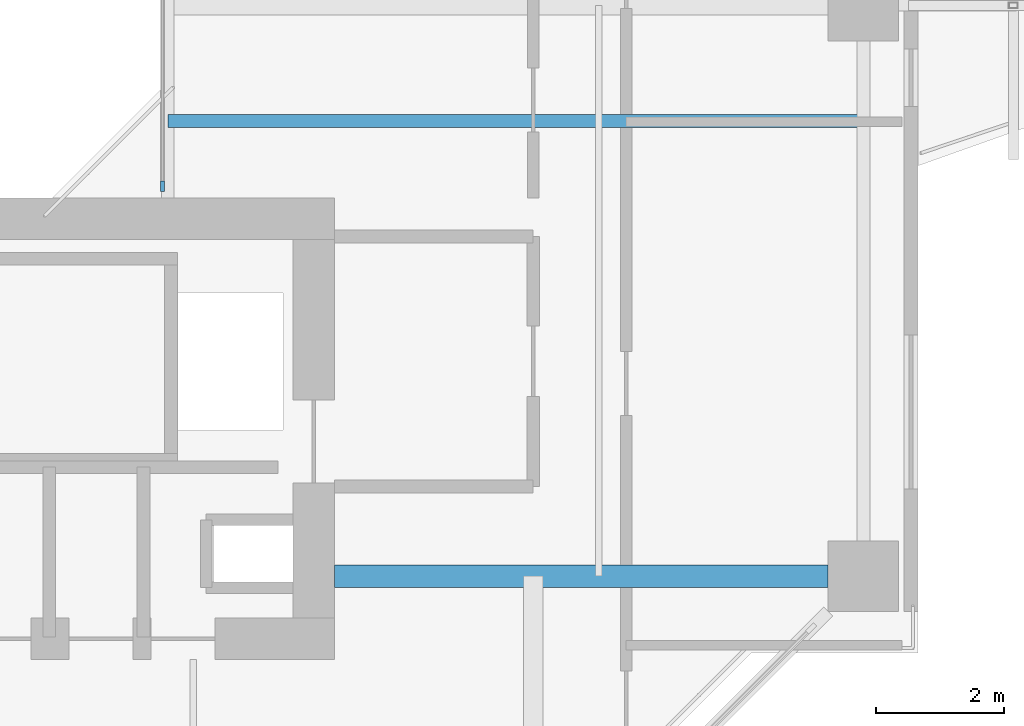
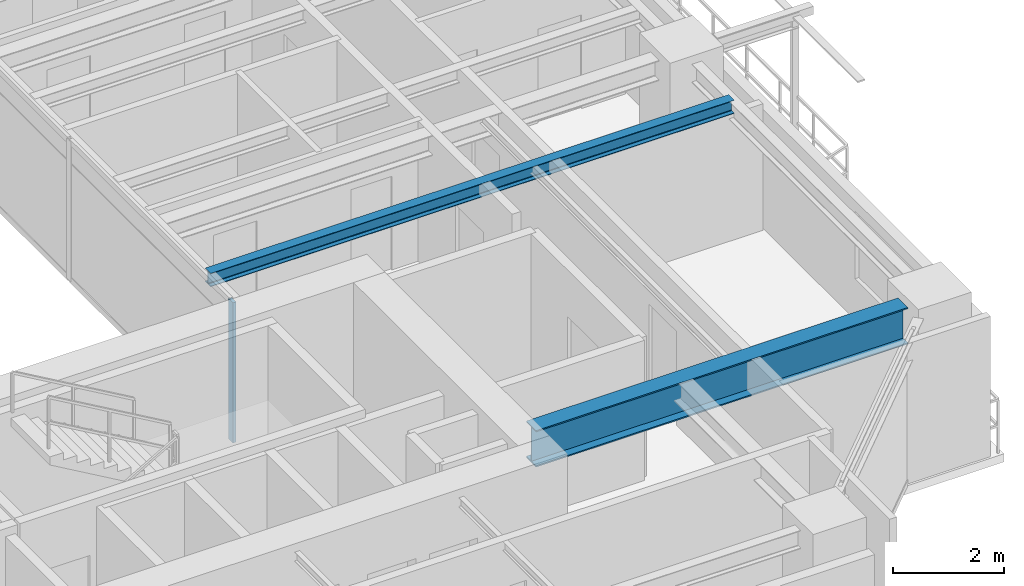
# One storey, part 3 of 17: 2 beams, 1 member, 1 element without a shape of its own.
"""IFC4 building model written with IfcOpenShell, lengths in metres."""

from ifc_helpers import new_model, si_unit, direction, frame, origin, origin_2d, place, context, subcontext, project, spatial, rectangle, i_section, extrude, source, transform, mapped, material, layer, layer_set, material_profile, profile_set, type_object, element, aggregate, save


model = new_model("IFC4")

# Units and contexts
model_context = context("Model", 3, precision=1e-05, world=origin(), true_north=direction((0.0, 1.0)))
body_context = subcontext(model_context, "Body", "Model", "MODEL_VIEW")
ifc_project = project(units=[si_unit("LENGTHUNIT", "METRE"), si_unit("AREAUNIT", "SQUARE_METRE"), si_unit("VOLUMEUNIT", "CUBIC_METRE"), si_unit("PLANEANGLEUNIT", "RADIAN"), si_unit("MASSUNIT", "GRAM", prefix="KILO"), si_unit("THERMODYNAMICTEMPERATUREUNIT", "KELVIN"), si_unit("POWERUNIT", "WATT")], contexts=[model_context])

# Site, building, storey
site_placement = place(None, origin())
site = spatial("IfcSite", under=ifc_project, at=site_placement, CompositionType="ELEMENT")
building_placement = place(site_placement, origin())
building = spatial("IfcBuilding", under=site, at=building_placement, Name="Qiaomeng Ring Towers", CompositionType="ELEMENT")
storey_placement = place(building_placement, frame((0.0, 0.0, 123.0)))
storey = spatial("IfcBuildingStorey", under=building, at=storey_placement, Name="L35", CompositionType="ELEMENT", Elevation=123.0)

# Beams
ifc_material_1 = material(Name="Steel Q390GJC", Category="steel")
ifc_material_profile_1 = material_profile(ifc_material_1, i_section(OverallWidth=0.35009765625, OverallDepth=0.800048828125, WebThickness=0.01611328125, FlangeThickness=0.028076171875, at=origin_2d()), Name="WH 800x350x16x28")
ifc_profile_set_1 = profile_set([ifc_material_profile_1], Name="Steel Q390GJC")
beam_type_1 = type_object("IfcBeamType", Name="STR-BM-WH800", PredefinedType="BEAM", material=ifc_profile_set_1)
shared_shape_1 = source(origin(), body_context, "Body", "SweptSolid", [
    extrude(i_section(OverallWidth=0.35009765625, OverallDepth=0.800048828125, WebThickness=0.01611328125, FlangeThickness=0.028076171875, at=origin_2d()), origin(), (0.0, 0.0, 1.0), 7.700927734375),
])
beam_1_placement = place(storey_placement, frame((27.800048828125, 11.10009765625, 2.669921875), z_axis=(1.0, 0.0, 0.0), x_axis=(0.0, 1.0, 0.0)))
element("IfcBeam", 1, at=beam_1_placement, inside=storey, type_object=beam_type_1, Name="L35 beam STR-BM-L35-T1-RAD-E1", PredefinedType="BEAM", context=body_context, shape_type="MappedRepresentation", body=[
    mapped(shared_shape_1, transform((0.0, 0.0, 0.0), x_axis=(1.0, 0.0, 0.0), y_axis=(0.0, 1.0, 0.0), z_axis=(0.0, 0.0, 1.0), scale=1.0)),
])
ifc_material_2 = material(Name="Steel Q355B", Category="steel")
ifc_material_profile_2 = material_profile(ifc_material_2, i_section(OverallWidth=0.199951171875, OverallDepth=0.2939453125, WebThickness=0.008056640625, FlangeThickness=0.011962890625, FilletRadius=0.01806640625, at=origin_2d()), Name="HM 294x200x8x12")
ifc_profile_set_2 = profile_set([ifc_material_profile_2], Name="Steel Q355B")
beam_type_2 = type_object("IfcBeamType", Name="STR-BM-HM294", PredefinedType="JOIST", material=ifc_profile_set_2)
shared_shape_2 = source(origin(), body_context, "Body", "SweptSolid", [
    extrude(i_section(OverallWidth=0.199951171875, OverallDepth=0.2939453125, WebThickness=0.008056640625, FlangeThickness=0.011962890625, FilletRadius=0.01806640625, at=origin_2d()), origin(), (0.0, 0.0, 1.0), 10.85009765625),
])
beam_2_placement = place(storey_placement, frame((25.199951171875, 18.199951171875, 2.923095703125), z_axis=(1.0, 0.0, 0.0), x_axis=(0.0, 1.0, 0.0)))
element("IfcBeam", 2, at=beam_2_placement, inside=storey, type_object=beam_type_2, Name="L35 beam STR-JST-L35-T1E-1", PredefinedType="JOIST", context=body_context, shape_type="MappedRepresentation", body=[
    mapped(shared_shape_2, transform((0.0, 0.0, 0.0), x_axis=(1.0, 0.0, 0.0), y_axis=(0.0, 1.0, 0.0), z_axis=(0.0, 0.0, 1.0), scale=1.0)),
])

# Curtain wall, member
ifc_material_3 = material(Name="Fluorocarbon dark-grey aluminium", Category="aluminium")
ifc_layer = layer(ifc_material_3, 0.139892578125, Name="Fluorocarbon dark-grey aluminium")
ifc_layer_set = layer_set([ifc_layer], Name="Fluorocarbon dark-grey aluminium")
curtain_wall_type = type_object("IfcCurtainWallType", Name="ARC-CW-4", PredefinedType="NOTDEFINED", material=ifc_layer_set)
curtain_wall_placement = place(storey_placement, origin())
curtain_wall = element("IfcCurtainWall", 3, at=curtain_wall_placement, inside=storey, type_object=curtain_wall_type, Name="L35 Curtain Wall CW4", PredefinedType="NOTDEFINED")
ifc_material_profile_3 = material_profile(ifc_material_3, rectangle(XDim=0.06494140625, YDim=0.159912109375, at=origin_2d()), Name="ALU MULL 65x160")
ifc_profile_set_3 = profile_set([ifc_material_profile_3], Name="Fluorocarbon dark-grey aluminium")
member_type = type_object("IfcMemberType", Name="ARC-CWM-140", PredefinedType="MULLION", material=ifc_profile_set_3)
shared_shape_3 = source(origin(), body_context, "Body", "SweptSolid", [
    extrude(rectangle(XDim=0.06494140625, YDim=0.159912109375, at=origin_2d()), origin(), (0.0, 0.0, 1.0), 3.070068359375),
])
member_placement = place(storey_placement, frame((25.1201171875, 17.1826171875, 0.0), z_axis=(0.0, 0.0, 1.0), x_axis=(-1.0, 0.0, 0.0)))
member = element("IfcMember", 4, at=member_placement, type_object=member_type, Name="CW4 mullion 1", PredefinedType="MULLION", context=body_context, shape_type="MappedRepresentation", body=[
    mapped(shared_shape_3, transform((0.0, 0.0, 0.0), x_axis=(1.0, 0.0, 0.0), y_axis=(0.0, 1.0, 0.0), z_axis=(0.0, 0.0, 1.0), scale=1.0)),
])
aggregate(curtain_wall, [member])

save(model, "model.ifc")
